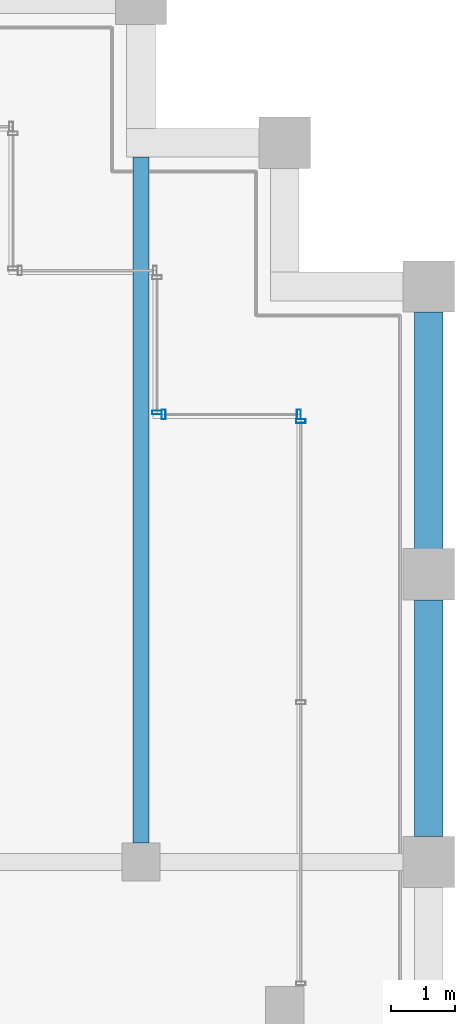
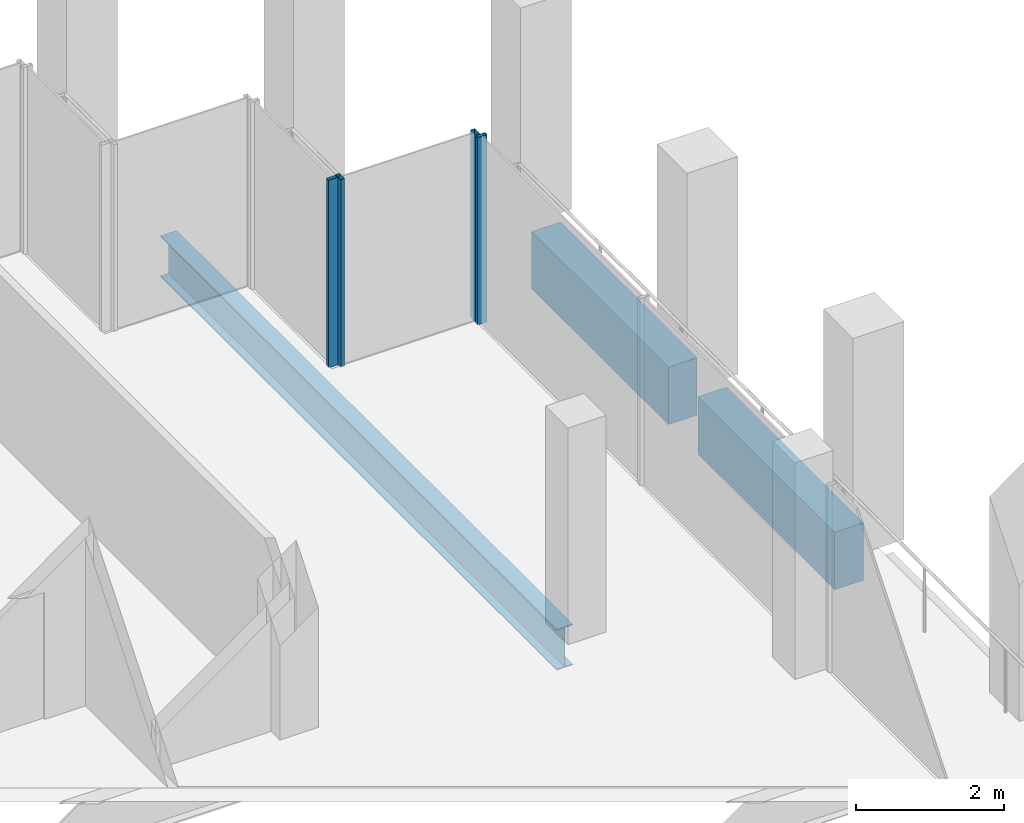
# One storey, part 25 of 30: 4 members, 3 beams, 3 elements without a shape of their own.
"""IFC4 building model written with IfcOpenShell, lengths in metres."""

from ifc_helpers import new_model, si_unit, direction, frame, origin, origin_2d, place, context, subcontext, project, spatial, rectangle, hollow_rectangle, i_section, extrude, material, material_profile, profile_set, type_object, element, aggregate, save


model = new_model("IFC4")

# Units and contexts
model_context = context("Model", 3, precision=1e-05, world=origin(), true_north=direction((0.0, 1.0)))
body_context = subcontext(model_context, "Body", "Model", "MODEL_VIEW")
ifc_project = project(units=[si_unit("LENGTHUNIT", "METRE"), si_unit("AREAUNIT", "SQUARE_METRE"), si_unit("VOLUMEUNIT", "CUBIC_METRE"), si_unit("PLANEANGLEUNIT", "RADIAN"), si_unit("MASSUNIT", "GRAM", prefix="KILO")], contexts=[model_context])

# Site, building, storey
site_placement = place(None, origin())
site = spatial("IfcSite", under=ifc_project, at=site_placement, CompositionType="ELEMENT")
building_placement = place(site_placement, origin())
building = spatial("IfcBuilding", under=site, at=building_placement, Name="Altepetl Exchange Towers", CompositionType="ELEMENT")
storey_placement = place(building_placement, frame((0.0, 0.0, 220.800048828125)))
storey = spatial("IfcBuildingStorey", under=building, at=storey_placement, Name="L56", CompositionType="ELEMENT", Elevation=220.800048828125)

# Beam
ifc_material_1 = material(Name="Steel S355", Category="steel")
ifc_material_profile_1 = material_profile(ifc_material_1, i_section(OverallWidth=0.2529296875, OverallDepth=0.677978515625, WebThickness=0.01171875, FlangeThickness=0.016357421875, at=origin_2d()), Name="W27X84")
ifc_profile_set_1 = profile_set([ifc_material_profile_1], Name="Steel S355")
beam_type_1 = type_object("IfcBeamType", Name="Floor beam W27X84", PredefinedType="BEAM", material=ifc_profile_set_1)
beam_placement = place(storey_placement, frame((67.5, 58.800048828125, -0.489013671875), z_axis=(0.0, 1.0, 0.0), x_axis=(-1.0, 0.0, 0.0)))
element("IfcBeam", 1, at=beam_placement, inside=storey, type_object=beam_type_1, Name="bm:A:L56:005", PredefinedType="BEAM", context=body_context, shape_type="SweptSolid", body=[
    extrude(i_section(OverallWidth=0.2529296875, OverallDepth=0.677978515625, WebThickness=0.01171875, FlangeThickness=0.016357421875, at=origin_2d()), origin(), (0.0, 0.0, 1.0), 10.724853515625),
])

# Curtain wall, member
ifc_material_2 = material(Name="Aluminium 6063-T6 glazing", Category="aluminium")
curtain_wall_type = type_object("IfcCurtainWallType", Name="Loggia glazing system", PredefinedType="NOTDEFINED", material=ifc_material_2)
curtain_wall_1_placement = place(storey_placement, origin())
curtain_wall_1 = element("IfcCurtainWall", 2, at=curtain_wall_1_placement, inside=storey, type_object=curtain_wall_type, Name="CW1 run", PredefinedType="NOTDEFINED")
ifc_material_3 = material(Name="Aluminium 6063-T6", Category="aluminium")
ifc_material_profile_2 = material_profile(ifc_material_3, hollow_rectangle(XDim=0.06005859375, YDim=0.14990234375, WallThickness=0.0029296875, at=origin_2d()), Name="Mullion 60x150 aluminium")
ifc_profile_set_2 = profile_set([ifc_material_profile_2], Name="Aluminium 6063-T6")
member_type = type_object("IfcMemberType", Name="Mullion 60x150 aluminium", PredefinedType="MULLION", material=ifc_profile_set_2)
member_1_placement = place(storey_placement, frame((70.0, 65.39501953125, 0.0), z_axis=(0.0, 0.0, 1.0), x_axis=(0.0, 1.0, 0.0)))
member_1 = element("IfcMember", 3, at=member_1_placement, type_object=member_type, Name="MU1 mullion", PredefinedType="MULLION", context=body_context, shape_type="SweptSolid", body=[
    extrude(hollow_rectangle(XDim=0.06005859375, YDim=0.14990234375, WallThickness=0.0029296875, at=origin_2d()), origin(), (0.0, 0.0, 1.0), 3.099853515625),
])
aggregate(curtain_wall_1, [member_1])

# Curtain wall, members
curtain_wall_2_placement = place(storey_placement, origin())
curtain_wall_2 = element("IfcCurtainWall", 4, at=curtain_wall_2_placement, inside=storey, type_object=curtain_wall_type, Name="CW1 run", PredefinedType="NOTDEFINED")
member_2_placement = place(storey_placement, frame((69.969970703125, 65.5, 0.0), z_axis=(0.0, 0.0, 1.0), x_axis=(-1.0, 0.0, 0.0)))
member_2 = element("IfcMember", 5, at=member_2_placement, type_object=member_type, Name="MU1 mullion", PredefinedType="MULLION", context=body_context, shape_type="SweptSolid", body=[
    extrude(hollow_rectangle(XDim=0.06005859375, YDim=0.14990234375, WallThickness=0.0029296875, at=origin_2d()), origin(), (0.0, 0.0, 1.0), 3.099853515625),
])
member_3_placement = place(storey_placement, frame((67.85498046875, 65.5, 0.0), z_axis=(0.0, 0.0, 1.0), x_axis=(-1.0, 0.0, 0.0)))
member_3 = element("IfcMember", 6, at=member_3_placement, type_object=member_type, Name="MU1 mullion", PredefinedType="MULLION", context=body_context, shape_type="SweptSolid", body=[
    extrude(hollow_rectangle(XDim=0.06005859375, YDim=0.14990234375, WallThickness=0.0029296875, at=origin_2d()), origin(), (0.0, 0.0, 1.0), 3.099853515625),
])
aggregate(curtain_wall_2, [member_2, member_3])

# Curtain wall, member
curtain_wall_3_placement = place(storey_placement, origin())
curtain_wall_3 = element("IfcCurtainWall", 7, at=curtain_wall_3_placement, inside=storey, type_object=curtain_wall_type, Name="CW1 run", PredefinedType="NOTDEFINED")
member_4_placement = place(storey_placement, frame((67.75, 65.530029296875, 0.0), z_axis=(0.0, 0.0, 1.0), x_axis=(0.0, 1.0, 0.0)))
member_4 = element("IfcMember", 8, at=member_4_placement, type_object=member_type, Name="MU1 mullion", PredefinedType="MULLION", context=body_context, shape_type="SweptSolid", body=[
    extrude(hollow_rectangle(XDim=0.06005859375, YDim=0.14990234375, WallThickness=0.0029296875, at=origin_2d()), origin(), (0.0, 0.0, 1.0), 3.099853515625),
])
aggregate(curtain_wall_3, [member_4])

# Beams
ifc_material_4 = material(Name="Concrete C50/60 precast with cantera rosa facing", Category="concrete")
ifc_material_profile_3 = material_profile(ifc_material_4, rectangle(XDim=0.449951171875, YDim=0.949951171875, at=origin_2d()), Name="450 x 950")
ifc_profile_set_3 = profile_set([ifc_material_profile_3], Name="Concrete C50/60 precast with cantera rosa facing")
beam_type_2 = type_object("IfcBeamType", Name="Spandrel beam 450x950 cantera rosa", PredefinedType="SPANDREL", material=ifc_profile_set_3)
for number, where, z_axis, x_axis, name in (
    (9, (72.0, 58.89990234375, -0.625), (0.0, 1.0, 0.0), (-1.0, 0.0, 0.0), "sp:A:L56:018"),
    (10, (72.0, 63.39990234375, -0.625), (0.0, 1.0, 0.0), (-1.0, 0.0, 0.0), "sp:A:L56:019"),
):
    element("IfcBeam", number, at=place(storey_placement, frame(where, z_axis=z_axis, x_axis=x_axis)), inside=storey, type_object=beam_type_2, Name=name, PredefinedType="SPANDREL", context=body_context, shape_type="SweptSolid", body=[
        extrude(rectangle(XDim=0.449951171875, YDim=0.949951171875, at=origin_2d()), origin(), (0.0, 0.0, 1.0), 3.7001953125),
    ])

save(model, "model.ifc")
